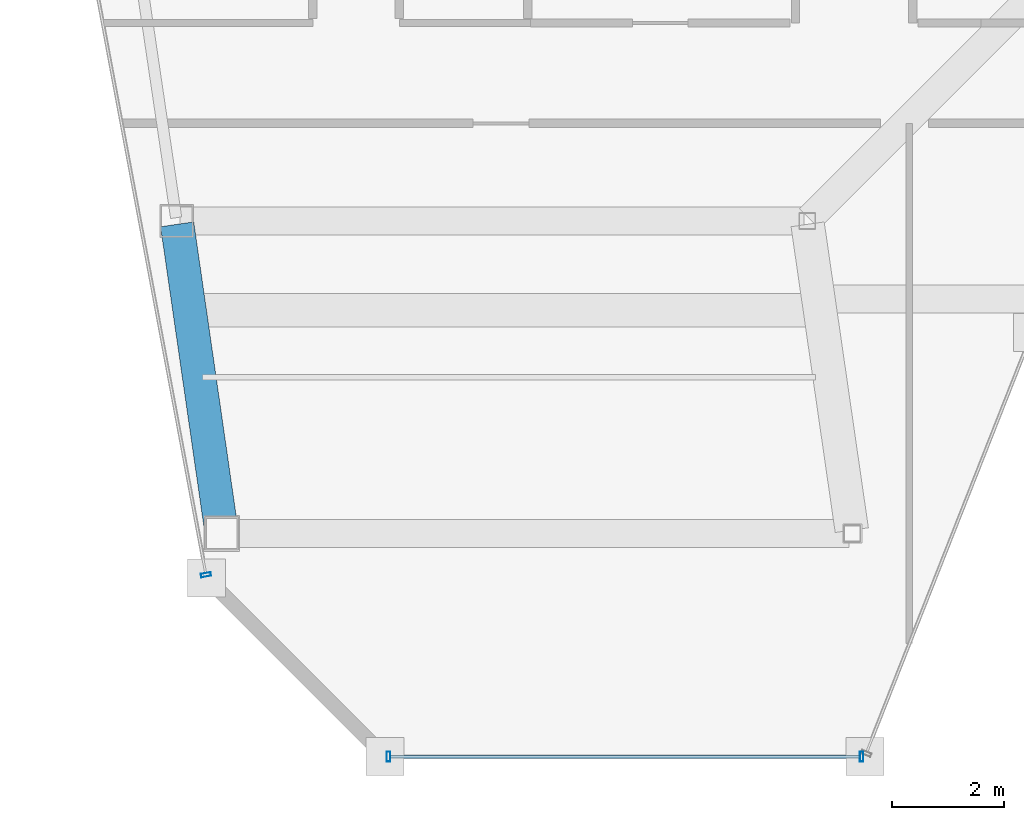
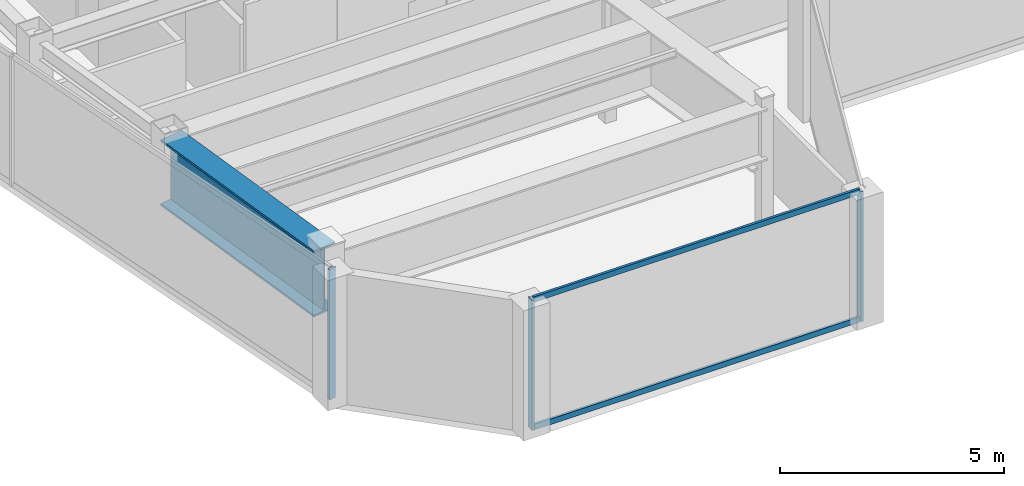
# One storey, part 3 of 23: 5 members, 1 beam, 2 elements without a shape of their own.
"""IFC4 building model written with IfcOpenShell, lengths in metres."""

from ifc_helpers import new_model, si_unit, direction, frame, origin, origin_2d, place, context, subcontext, project, spatial, hollow_rectangle, i_section, extrude, material, material_profile, profile_set, type_object, element, aggregate, save


model = new_model("IFC4")

# Units and contexts
model_context = context("Model", 3, precision=1e-05, world=origin(), true_north=direction((0.0, 1.0)))
body_context = subcontext(model_context, "Body", "Model", "MODEL_VIEW")
ifc_project = project(units=[si_unit("LENGTHUNIT", "METRE"), si_unit("AREAUNIT", "SQUARE_METRE"), si_unit("VOLUMEUNIT", "CUBIC_METRE"), si_unit("PLANEANGLEUNIT", "RADIAN"), si_unit("MASSUNIT", "GRAM", prefix="KILO")], contexts=[model_context])

# Site, building, storey
site_placement = place(None, origin())
site = spatial("IfcSite", under=ifc_project, at=site_placement, CompositionType="ELEMENT")
building_placement = place(site_placement, origin())
building = spatial("IfcBuilding", under=site, at=building_placement, Name="Saevonmaru Cultural Tower", CompositionType="ELEMENT")
storey_placement = place(building_placement, frame((0.0, 0.0, 291.39990234375)))
storey = spatial("IfcBuildingStorey", under=building, at=storey_placement, Name="L69", CompositionType="ELEMENT", Elevation=291.39990234375)

# Beam
ifc_material_1 = material(Name="Steel HSA600 (600 MPa)", Category="steel")
ifc_material_profile_1 = material_profile(ifc_material_1, i_section(OverallWidth=0.60009765625, OverallDepth=1.800048828125, WebThickness=0.028076171875, FlangeThickness=0.054931640625, at=origin_2d()), Name="PG-1800x600x28x55")
ifc_profile_set_1 = profile_set([ifc_material_profile_1], Name="Steel HSA600 (600 MPa)")
beam_type = type_object("IfcBeamType", Name="BM-TG-PG1800-EXT", PredefinedType="SPANDREL", material=ifc_profile_set_1)
beam_placement = place(storey_placement, frame((8.308349609375, 32.059326171875, 2.650146484375), z_axis=(-0.142964121327, 0.989727871697, 0.0), x_axis=(-0.989727871697, -0.142964121327, 0.0)))
element("IfcBeam", 1, at=beam_placement, inside=storey, type_object=beam_type, Name="L69 West Splayed Spandrel 1", PredefinedType="SPANDREL", context=body_context, shape_type="SweptSolid", body=[
    extrude(i_section(OverallWidth=0.60009765625, OverallDepth=1.800048828125, WebThickness=0.028076171875, FlangeThickness=0.054931640625, at=origin_2d()), origin(), (0.0, 0.0, 1.0), 5.5380859375),
])

# Curtain wall, members
ifc_material_2 = material(Name="Satin Bronze Anodised Aluminium", Category="aluminium")
curtain_wall_type = type_object("IfcCurtainWallType", Name="CW-TYP-B", PredefinedType="NOTDEFINED", material=ifc_material_2)
curtain_wall_1_placement = place(storey_placement, origin())
curtain_wall_1 = element("IfcCurtainWall", 2, at=curtain_wall_1_placement, inside=storey, type_object=curtain_wall_type, Name="L69 Unitised Curtain Wall E2", PredefinedType="NOTDEFINED")
ifc_material_profile_2 = material_profile(ifc_material_2, hollow_rectangle(XDim=0.06494140625, YDim=0.179931640625, WallThickness=0.00390625, at=origin_2d()), Name="ALU-MULL-180x65x4")
ifc_profile_set_2 = profile_set([ifc_material_profile_2], Name="Satin Bronze Anodised Aluminium")
member_type_1 = type_object("IfcMemberType", Name="ML-CW-180x65", PredefinedType="MULLION", material=ifc_profile_set_2)
member_1_placement = place(storey_placement, frame((11.304443359375, 28.0, 0.0), z_axis=(0.0, 0.0, 1.0), x_axis=(1.0, 0.0, 0.0)))
member_1 = element("IfcMember", 3, at=member_1_placement, type_object=member_type_1, Name="CW-TW-L69-E2 mullion 1", PredefinedType="MULLION", context=body_context, shape_type="SweptSolid", body=[
    extrude(hollow_rectangle(XDim=0.06494140625, YDim=0.179931640625, WallThickness=0.00390625, at=origin_2d()), origin(), (0.0, 0.0, 1.0), 3.550048828125),
])
member_2_placement = place(storey_placement, frame((19.784423828125, 28.0, 0.0), z_axis=(0.0, 0.0, 1.0), x_axis=(1.0, 0.0, 0.0)))
member_2 = element("IfcMember", 4, at=member_2_placement, type_object=member_type_1, Name="CW-TW-L69-E2 mullion 2", PredefinedType="MULLION", context=body_context, shape_type="SweptSolid", body=[
    extrude(hollow_rectangle(XDim=0.06494140625, YDim=0.179931640625, WallThickness=0.00390625, at=origin_2d()), origin(), (0.0, 0.0, 1.0), 3.550048828125),
])

# Curtain wall, member
curtain_wall_2_placement = place(storey_placement, origin())
curtain_wall_2 = element("IfcCurtainWall", 5, at=curtain_wall_2_placement, inside=storey, type_object=curtain_wall_type, Name="L69 Unitised Curtain Wall E12", PredefinedType="NOTDEFINED")
member_3_placement = place(storey_placement, frame((8.033447265625, 31.259033203125, 0.0), z_axis=(0.0, 0.0, 1.0), x_axis=(0.184046528232, -0.982917532373, 0.0)))
member_3 = element("IfcMember", 6, at=member_3_placement, type_object=member_type_1, Name="CW-TW-L69-E12 mullion 3", PredefinedType="MULLION", context=body_context, shape_type="SweptSolid", body=[
    extrude(hollow_rectangle(XDim=0.06494140625, YDim=0.179931640625, WallThickness=0.00390625, at=origin_2d()), origin(), (0.0, 0.0, 1.0), 3.550048828125),
])
aggregate(curtain_wall_2, [member_3])

# Member
ifc_material_profile_3 = material_profile(ifc_material_2, hollow_rectangle(XDim=0.06494140625, YDim=0.14990234375, WallThickness=0.00390625, at=origin_2d()), Name="ALU-TRAN-150x65x4")
ifc_profile_set_3 = profile_set([ifc_material_profile_3], Name="Satin Bronze Anodised Aluminium")
member_type_2 = type_object("IfcMemberType", Name="TR-CW-150x65", PredefinedType="USERDEFINED", material=ifc_profile_set_3)
member_4_placement = place(storey_placement, frame((11.3369140625, 28.0, 0.03271484375), z_axis=(1.0, 0.0, 0.0), x_axis=(0.0, 1.0, 0.0)))
member_4 = element("IfcMember", 7, at=member_4_placement, type_object=member_type_2, Name="CW-TW-L69-E2 transom 1.1", ObjectType="TRANSOM", PredefinedType="USERDEFINED", context=body_context, shape_type="SweptSolid", body=[
    extrude(hollow_rectangle(XDim=0.06494140625, YDim=0.14990234375, WallThickness=0.00390625, at=origin_2d()), origin(), (0.0, 0.0, 1.0), 8.4150390625),
])

member_5_placement = place(storey_placement, frame((11.3369140625, 28.0, 3.517578125), z_axis=(1.0, 0.0, 0.0), x_axis=(0.0, 1.0, 0.0)))
member_5 = element("IfcMember", 8, at=member_5_placement, type_object=member_type_2, Name="CW-TW-L69-E2 transom 1.2", ObjectType="TRANSOM", PredefinedType="USERDEFINED", context=body_context, shape_type="SweptSolid", body=[
    extrude(hollow_rectangle(XDim=0.06494140625, YDim=0.14990234375, WallThickness=0.00390625, at=origin_2d()), origin(), (0.0, 0.0, 1.0), 8.4150390625),
])

aggregate(curtain_wall_1, [member_1, member_2, member_4, member_5])

save(model, "model.ifc")
